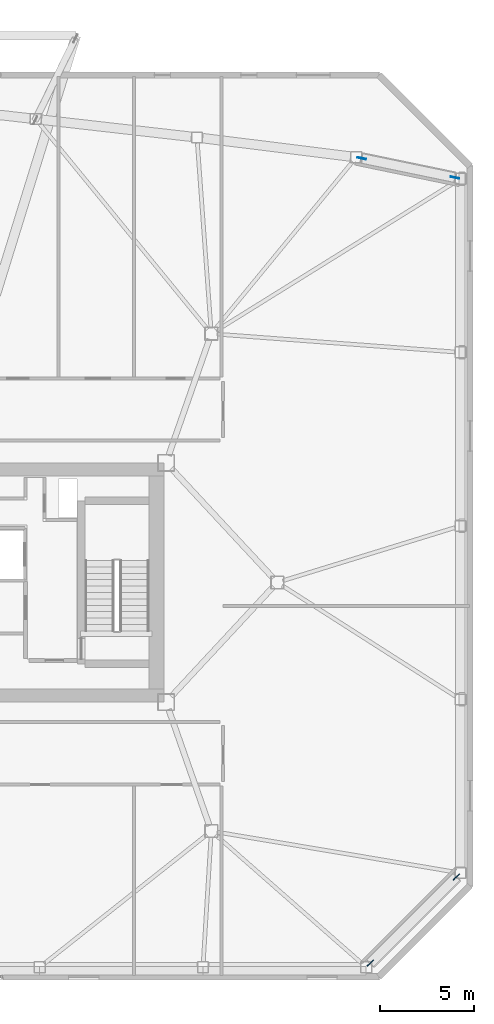
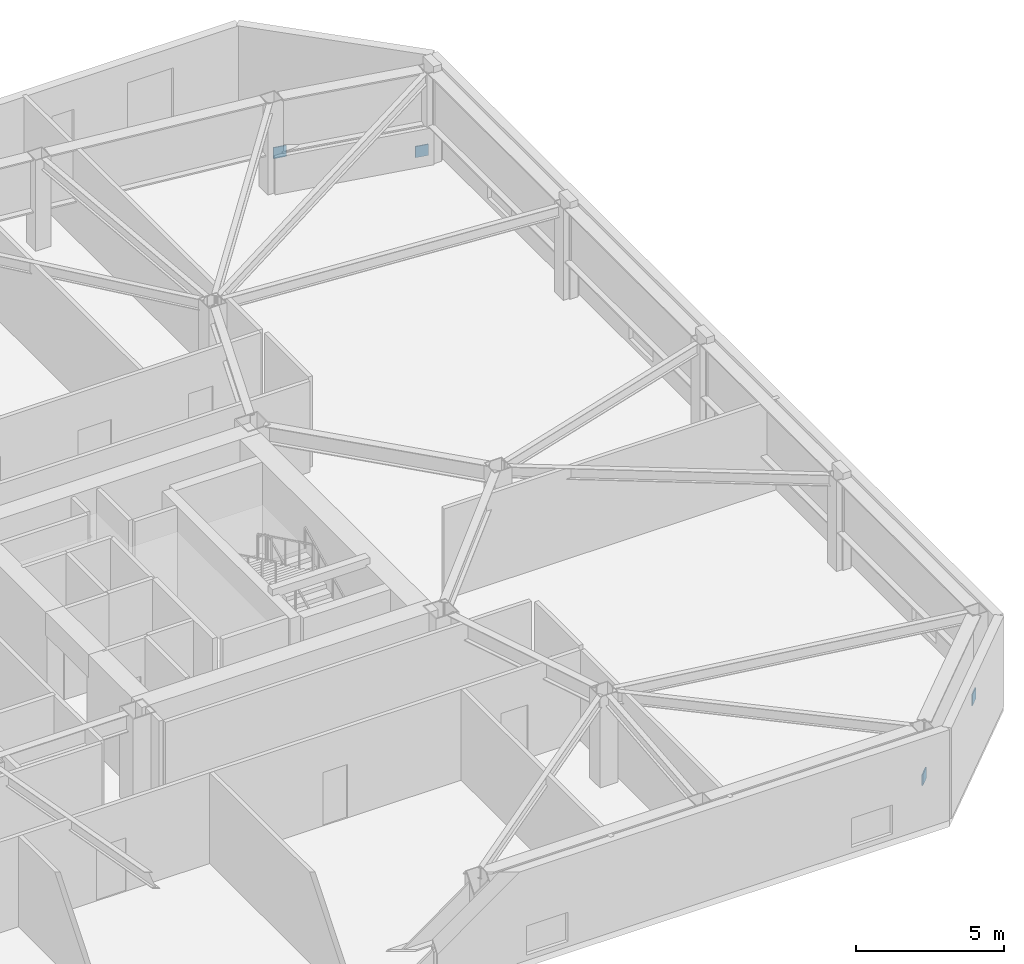
# One storey, part 17 of 19: 4 discrete accessories.
"""IFC4 building model written with IfcOpenShell, lengths in metres."""

from ifc_helpers import new_model, si_unit, direction, frame, origin, origin_2d, place, context, subcontext, project, spatial, rectangle, extrude, material, type_object, element, save


model = new_model("IFC4")

# Units and contexts
model_context = context("Model", 3, precision=1e-05, world=origin(), true_north=direction((0.0, 1.0)))
body_context = subcontext(model_context, "Body", "Model", "MODEL_VIEW")
ifc_project = project(units=[si_unit("LENGTHUNIT", "METRE"), si_unit("AREAUNIT", "SQUARE_METRE"), si_unit("VOLUMEUNIT", "CUBIC_METRE"), si_unit("PLANEANGLEUNIT", "RADIAN"), si_unit("MASSUNIT", "GRAM", prefix="KILO")], contexts=[model_context])

# Site, building, storey
site_placement = place(None, origin())
site = spatial("IfcSite", under=ifc_project, at=site_placement, CompositionType="ELEMENT")
building_placement = place(site_placement, origin())
building = spatial("IfcBuilding", under=site, at=building_placement, Name="Tavrogorsk Clinical Tower", CompositionType="ELEMENT")
storey_placement = place(building_placement, frame((0.0, 0.0, 172.199951171875)))
storey = spatial("IfcBuildingStorey", under=building, at=storey_placement, Name="L39", CompositionType="ELEMENT", Elevation=172.199951171875)

# Discrete accessories
ifc_material = material(Name="Structural steel S440", Category="steel")
discrete_accessory_type = type_object("IfcDiscreteAccessoryType", Name="GussetPlateBracket_25", PredefinedType="BRACKET", material=ifc_material)
for number, where, z_axis, x_axis, name in (
    (1, (37.505126953125, -15.634765625, 0.12109375), (0.0, 0.0, 1.0), (-0.707106781187, -0.707106781187, 0.0), "L39 Brace Gusset Plate EXOCRN-L39-1-A"),
    (2, (32.934814453125, -20.205322265625, 1.208984375), (0.0, 0.0, 1.0), (-0.707106781187, -0.707106781187, 0.0), "L39 Brace Gusset Plate EXOCRN-L39-1-B"),
    (3, (37.4248046875, 21.481201171875, 0.133544921875), (0.0, 0.0, 1.0), (-0.979187402648, 0.202958198889, 0.0), "L39 Brace Gusset Plate EXOCRN-L39-2-A"),
    (4, (32.486328125, 22.504638671875, 1.196533203125), (0.0, 0.0, 1.0), (-0.979187402648, 0.202958198889, 0.0), "L39 Brace Gusset Plate EXOCRN-L39-2-B"),
):
    element("IfcDiscreteAccessory", number, at=place(storey_placement, frame(where, z_axis=z_axis, x_axis=x_axis)), inside=storey, type_object=discrete_accessory_type, Name=name, PredefinedType="BRACKET", context=body_context, shape_type="SweptSolid", body=[
        extrude(rectangle(XDim=0.4599609375, YDim=0.0400390625, at=origin_2d()), origin(), (0.0, 0.0, 1.0), 0.4599609375),
    ])

save(model, "model.ifc")
